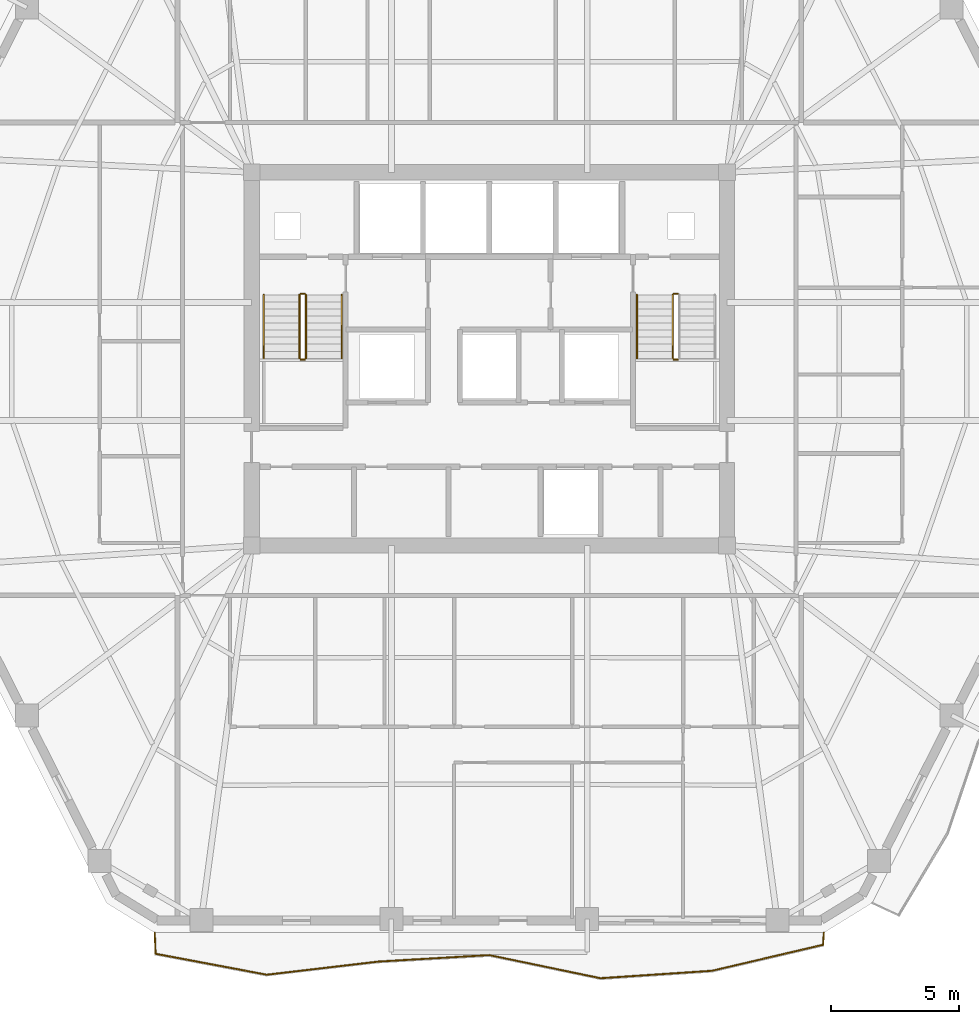
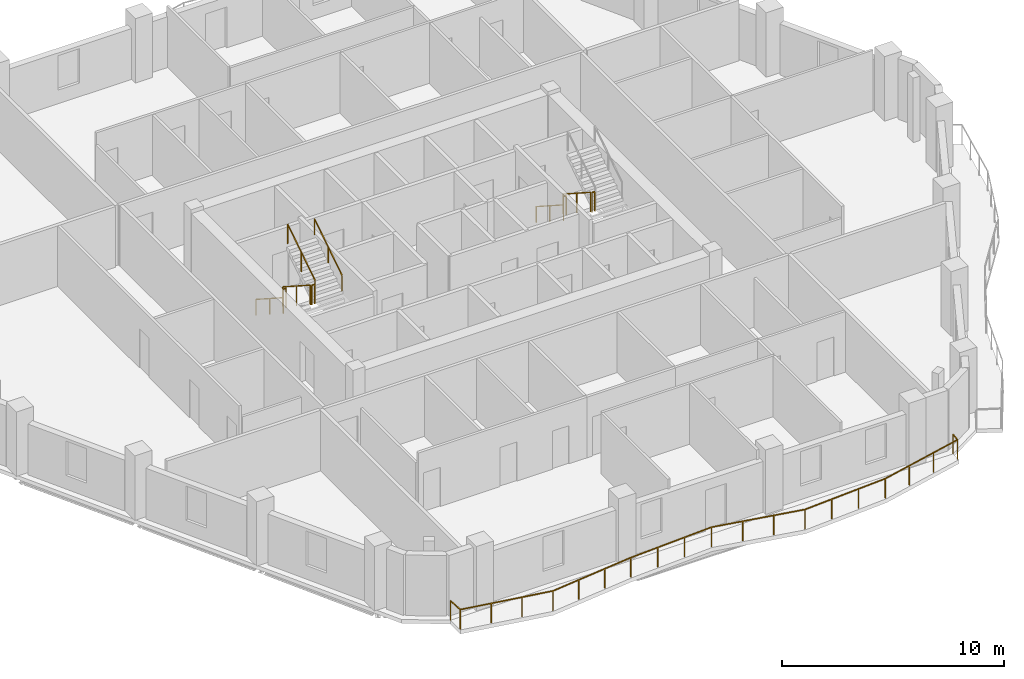
# One storey, part 9 of 10: 11 railings.
"""IFC4 building model written with IfcOpenShell, lengths in metres."""

from ifc_helpers import new_model, si_unit, direction, frame, origin, origin_2d, place, context, subcontext, project, spatial, rectangle, extrude, material, type_object, element, save


model = new_model("IFC4")

# Units and contexts
model_context = context("Model", 3, precision=1e-05, world=origin(), true_north=direction((0.0, 1.0)))
body_context = subcontext(model_context, "Body", "Model", "MODEL_VIEW")
ifc_project = project(units=[si_unit("LENGTHUNIT", "METRE"), si_unit("AREAUNIT", "SQUARE_METRE"), si_unit("VOLUMEUNIT", "CUBIC_METRE"), si_unit("PLANEANGLEUNIT", "RADIAN"), si_unit("MASSUNIT", "GRAM", prefix="KILO")], contexts=[model_context])

# Site, building, storey
site_placement = place(None, origin())
site = spatial("IfcSite", under=ifc_project, at=site_placement, CompositionType="ELEMENT")
building_placement = place(site_placement, origin())
building = spatial("IfcBuilding", under=site, at=building_placement, Name="Cinnabar Lancet Tower", CompositionType="ELEMENT")
storey_placement = place(building_placement, frame((0.0, 0.0, 164.14990234375)))
storey = spatial("IfcBuildingStorey", under=building, at=storey_placement, Name="L43", CompositionType="ELEMENT", Elevation=164.14990234375)

# Railings
ifc_material_1 = material(Name="Laminated safety glass and bronze stainless steel balustrade", Category="steel")
railing_type_1 = type_object("IfcRailingType", Name="ENV-RLG-BAL-1100", PredefinedType="BALUSTRADE", material=ifc_material_1)
railing_1_placement = place(storey_placement, frame((19.30810546875, 3.449951171875, 0.0)))
element("IfcRailing", 1, at=railing_1_placement, inside=storey, type_object=railing_type_1, Name="L43 Face 1 Wave Balcony Balustrade", PredefinedType="BALUSTRADE", context=body_context, shape_type="SweptSolid", body=[
    extrude(rectangle(XDim=0.048095703125, YDim=0.048095703125, at=origin_2d()), frame((0.0, 0.0, 1.076171875), z_axis=(0.041101669352, -0.99915496935, 0.0), x_axis=(0.99915496935, 0.041101669352, 0.0)), (0.0, 0.0, 1.0), 0.82568359375),
    extrude(rectangle(XDim=0.048095703125, YDim=0.048095703125, at=origin_2d()), frame((0.033935546875, -0.824951171875, 1.076171875), z_axis=(0.982760964656, -0.184880735473, 0.0), x_axis=(0.184880735473, 0.982760964656, 0.0)), (0.0, 0.0, 1.0), 4.430419921875),
    extrude(rectangle(XDim=0.048095703125, YDim=0.048095703125, at=origin_2d()), frame((4.387939453125, -1.64404296875, 1.076171875), z_axis=(0.993122440619, 0.117080390924, 0.0), x_axis=(-0.117080390924, 0.993122440619, 0.0)), (0.0, 0.0, 1.0), 4.383056640625),
    extrude(rectangle(XDim=0.048095703125, YDim=0.048095703125, at=origin_2d()), frame((8.740966796875, -1.130859375, 1.076171875), z_axis=(0.998288445358, 0.058482303852, 0.0), x_axis=(-0.058482303852, 0.998288445358, 0.0)), (0.0, 0.0, 1.0), 4.3583984375),
    extrude(rectangle(XDim=0.048095703125, YDim=0.048095703125, at=origin_2d()), frame((13.091796875, -0.8759765625, 1.076171875), z_axis=(0.979010564982, -0.203809503346, 0.0), x_axis=(0.203809503346, 0.979010564982, 0.0)), (0.0, 0.0, 1.0), 4.4453125),
    extrude(rectangle(XDim=0.048095703125, YDim=0.048095703125, at=origin_2d()), frame((17.44384765625, -1.781982421875, 1.076171875), z_axis=(0.997771763649, 0.066719619784, 0.0), x_axis=(-0.066719619784, 0.997771763649, 0.0)), (0.0, 0.0, 1.0), 4.36181640625),
    extrude(rectangle(XDim=0.048095703125, YDim=0.048095703125, at=origin_2d()), frame((21.7958984375, -1.490966796875, 1.076171875), z_axis=(0.973772681849, 0.227523106707, 0.0), x_axis=(-0.227523106707, 0.973772681849, 0.0)), (0.0, 0.0, 1.0), 4.47021484375),
    extrude(rectangle(XDim=0.048095703125, YDim=0.048095703125, at=origin_2d()), frame((26.14892578125, -0.473876953125, 1.076171875), z_axis=(0.073474233666, 0.997297115702, 0.0), x_axis=(-0.997297115702, 0.073474233666, 0.0)), (0.0, 0.0, 1.0), 0.47509765625),
    extrude(rectangle(XDim=0.0419921875, YDim=0.0419921875, at=origin_2d()), origin(), (0.0, 0.0, 1.0), 1.052001953125),
    extrude(rectangle(XDim=0.0419921875, YDim=0.0419921875, at=origin_2d()), frame((0.033935546875, -0.824951171875, 0.0)), (0.0, 0.0, 1.0), 1.052001953125),
    extrude(rectangle(XDim=0.0419921875, YDim=0.0419921875, at=origin_2d()), frame((1.4853515625, -1.097900390625, 0.0)), (0.0, 0.0, 1.0), 1.052001953125),
    extrude(rectangle(XDim=0.0419921875, YDim=0.0419921875, at=origin_2d()), frame((2.9365234375, -1.37109375, 0.0)), (0.0, 0.0, 1.0), 1.052001953125),
    extrude(rectangle(XDim=0.0419921875, YDim=0.0419921875, at=origin_2d()), frame((4.387939453125, -1.64404296875, 0.0)), (0.0, 0.0, 1.0), 1.052001953125),
    extrude(rectangle(XDim=0.0419921875, YDim=0.0419921875, at=origin_2d()), frame((5.8388671875, -1.472900390625, 0.0)), (0.0, 0.0, 1.0), 1.052001953125),
    extrude(rectangle(XDim=0.0419921875, YDim=0.0419921875, at=origin_2d()), frame((7.2900390625, -1.302001953125, 0.0)), (0.0, 0.0, 1.0), 1.052001953125),
    extrude(rectangle(XDim=0.0419921875, YDim=0.0419921875, at=origin_2d()), frame((8.740966796875, -1.130859375, 0.0)), (0.0, 0.0, 1.0), 1.052001953125),
    extrude(rectangle(XDim=0.0419921875, YDim=0.0419921875, at=origin_2d()), frame((10.191162109375, -1.0458984375, 0.0)), (0.0, 0.0, 1.0), 1.052001953125),
    extrude(rectangle(XDim=0.0419921875, YDim=0.0419921875, at=origin_2d()), frame((11.6416015625, -0.9609375, 0.0)), (0.0, 0.0, 1.0), 1.052001953125),
    extrude(rectangle(XDim=0.0419921875, YDim=0.0419921875, at=origin_2d()), frame((13.091796875, -0.8759765625, 0.0)), (0.0, 0.0, 1.0), 1.052001953125),
    extrude(rectangle(XDim=0.0419921875, YDim=0.0419921875, at=origin_2d()), frame((14.54248046875, -1.177978515625, 0.0)), (0.0, 0.0, 1.0), 1.052001953125),
    extrude(rectangle(XDim=0.0419921875, YDim=0.0419921875, at=origin_2d()), frame((15.9931640625, -1.47998046875, 0.0)), (0.0, 0.0, 1.0), 1.052001953125),
    extrude(rectangle(XDim=0.0419921875, YDim=0.0419921875, at=origin_2d()), frame((17.44384765625, -1.781982421875, 0.0)), (0.0, 0.0, 1.0), 1.052001953125),
    extrude(rectangle(XDim=0.0419921875, YDim=0.0419921875, at=origin_2d()), frame((18.89453125, -1.68505859375, 0.0)), (0.0, 0.0, 1.0), 1.052001953125),
    extrude(rectangle(XDim=0.0419921875, YDim=0.0419921875, at=origin_2d()), frame((20.34521484375, -1.587890625, 0.0)), (0.0, 0.0, 1.0), 1.052001953125),
    extrude(rectangle(XDim=0.0419921875, YDim=0.0419921875, at=origin_2d()), frame((21.7958984375, -1.490966796875, 0.0)), (0.0, 0.0, 1.0), 1.052001953125),
    extrude(rectangle(XDim=0.0419921875, YDim=0.0419921875, at=origin_2d()), frame((23.246826171875, -1.15185546875, 0.0)), (0.0, 0.0, 1.0), 1.052001953125),
    extrude(rectangle(XDim=0.0419921875, YDim=0.0419921875, at=origin_2d()), frame((24.697998046875, -0.81298828125, 0.0)), (0.0, 0.0, 1.0), 1.052001953125),
    extrude(rectangle(XDim=0.0419921875, YDim=0.0419921875, at=origin_2d()), frame((26.14892578125, -0.473876953125, 0.0)), (0.0, 0.0, 1.0), 1.052001953125),
    extrude(rectangle(XDim=0.0419921875, YDim=0.0419921875, at=origin_2d()), frame((26.183837890625, 0.0, 0.0)), (0.0, 0.0, 1.0), 1.052001953125),
])
ifc_material_2 = material(Name="Painted galvanized steel balustrade", Category="steel")
railing_type_2 = type_object("IfcRailingType", Name="GUARD-STAIR", PredefinedType="GUARDRAIL", material=ifc_material_2)
railing_2_placement = place(storey_placement, frame((24.97509765625, 28.39990234375, 0.177490234375)))
element("IfcRailing", 2, at=railing_2_placement, inside=storey, type_object=railing_type_2, Name="L43 ST-1 stair guard 1", PredefinedType="GUARDRAIL", context=body_context, shape_type="SweptSolid", body=[
    extrude(rectangle(XDim=0.048095703125, YDim=0.048095703125, at=origin_2d()), frame((0.0, 0.0, 1.076171875), z_axis=(0.0, -0.84014559416, 0.542360932049), x_axis=(1.0, 0.0, 0.0)), (0.0, 0.0, 1.0), 2.94580078125),
    extrude(rectangle(XDim=0.0419921875, YDim=0.0419921875, at=origin_2d()), origin(), (0.0, 0.0, 1.0), 1.052001953125),
    extrude(rectangle(XDim=0.0419921875, YDim=0.0419921875, at=origin_2d()), frame((0.0, -1.2373046875, 0.798828125)), (0.0, 0.0, 1.0), 1.052001953125),
    extrude(rectangle(XDim=0.0419921875, YDim=0.0419921875, at=origin_2d()), frame((0.0, -2.474853515625, 1.59765625)), (0.0, 0.0, 1.0), 1.052001953125),
])
railing_3_placement = place(storey_placement, frame((25.02490234375, 25.875, 1.775146484375)))
element("IfcRailing", 3, at=railing_3_placement, inside=storey, type_object=railing_type_2, Name="L43 ST-1 stair guard 2", PredefinedType="GUARDRAIL", context=body_context, shape_type="SweptSolid", body=[
    extrude(rectangle(XDim=0.048095703125, YDim=0.048095703125, at=origin_2d()), frame((0.0, 0.0, 1.076171875), z_axis=(1.0, 0.0, 0.0), x_axis=(0.0, 1.0, 0.0)), (0.0, 0.0, 1.0), 0.150146484375),
    extrude(rectangle(XDim=0.0419921875, YDim=0.0419921875, at=origin_2d()), origin(), (0.0, 0.0, 1.0), 1.052001953125),
    extrude(rectangle(XDim=0.0419921875, YDim=0.0419921875, at=origin_2d()), frame((0.150146484375, 0.0, 0.0)), (0.0, 0.0, 1.0), 1.052001953125),
])
railing_4_placement = place(storey_placement, frame((25.22509765625, 25.925048828125, 1.95263671875)))
element("IfcRailing", 4, at=railing_4_placement, inside=storey, type_object=railing_type_2, Name="L43 ST-1 stair guard 3", PredefinedType="GUARDRAIL", context=body_context, shape_type="SweptSolid", body=[
    extrude(rectangle(XDim=0.048095703125, YDim=0.048095703125, at=origin_2d()), frame((0.0, 0.0, 1.076171875), z_axis=(0.0, 0.840183358697, 0.542302428327), x_axis=(-1.0, 0.0, 0.0)), (0.0, 0.0, 1.0), 2.945556640625),
    extrude(rectangle(XDim=0.0419921875, YDim=0.0419921875, at=origin_2d()), origin(), (0.0, 0.0, 1.0), 1.052001953125),
    extrude(rectangle(XDim=0.0419921875, YDim=0.0419921875, at=origin_2d()), frame((0.0, 1.2373046875, 0.798828125)), (0.0, 0.0, 1.0), 1.052001953125),
    extrude(rectangle(XDim=0.0419921875, YDim=0.0419921875, at=origin_2d()), frame((0.0, 2.474853515625, 1.597412109375)), (0.0, 0.0, 1.0), 1.052001953125),
])
railing_5_placement = place(storey_placement, frame((25.02490234375, 28.449951171875, 0.0)))
element("IfcRailing", 5, at=railing_5_placement, inside=storey, type_object=railing_type_2, Name="L43 ST-1 stair guard 4", PredefinedType="GUARDRAIL", context=body_context, shape_type="SweptSolid", body=[
    extrude(rectangle(XDim=0.048095703125, YDim=0.048095703125, at=origin_2d()), frame((0.0, 0.0, 1.076171875), z_axis=(1.0, 0.0, 0.0), x_axis=(0.0, 1.0, 0.0)), (0.0, 0.0, 1.0), 0.150146484375),
    extrude(rectangle(XDim=0.0419921875, YDim=0.0419921875, at=origin_2d()), origin(), (0.0, 0.0, 1.0), 1.052001953125),
    extrude(rectangle(XDim=0.0419921875, YDim=0.0419921875, at=origin_2d()), frame((0.150146484375, 0.0, 0.0)), (0.0, 0.0, 1.0), 1.052001953125),
])
railing_6_placement = place(storey_placement, frame((39.574951171875, 28.39990234375, 0.177490234375)))
element("IfcRailing", 6, at=railing_6_placement, inside=storey, type_object=railing_type_2, Name="L43 ST-2 stair guard 1", PredefinedType="GUARDRAIL", context=body_context, shape_type="SweptSolid", body=[
    extrude(rectangle(XDim=0.048095703125, YDim=0.048095703125, at=origin_2d()), frame((0.0, 0.0, 1.076171875), z_axis=(0.0, -0.84014559416, 0.542360932049), x_axis=(1.0, 0.0, 0.0)), (0.0, 0.0, 1.0), 2.94580078125),
    extrude(rectangle(XDim=0.0419921875, YDim=0.0419921875, at=origin_2d()), origin(), (0.0, 0.0, 1.0), 1.052001953125),
    extrude(rectangle(XDim=0.0419921875, YDim=0.0419921875, at=origin_2d()), frame((0.0, -1.2373046875, 0.798828125)), (0.0, 0.0, 1.0), 1.052001953125),
    extrude(rectangle(XDim=0.0419921875, YDim=0.0419921875, at=origin_2d()), frame((0.0, -2.474853515625, 1.59765625)), (0.0, 0.0, 1.0), 1.052001953125),
])
for number, where, name in (
    (7, (39.625, 25.875, 1.775146484375), "L43 ST-2 stair guard 2"),
    (8, (39.625, 28.449951171875, 0.0), "L43 ST-2 stair guard 4"),
):
    element("IfcRailing", number, at=place(storey_placement, frame(where)), inside=storey, type_object=railing_type_2, Name=name, PredefinedType="GUARDRAIL", context=body_context, shape_type="SweptSolid", body=[
        extrude(rectangle(XDim=0.048095703125, YDim=0.048095703125, at=origin_2d()), frame((0.0, 0.0, 1.076171875), z_axis=(1.0, 0.0, 0.0), x_axis=(0.0, 1.0, 0.0)), (0.0, 0.0, 1.0), 0.14990234375),
        extrude(rectangle(XDim=0.0419921875, YDim=0.0419921875, at=origin_2d()), origin(), (0.0, 0.0, 1.0), 1.052001953125),
        extrude(rectangle(XDim=0.0419921875, YDim=0.0419921875, at=origin_2d()), frame((0.14990234375, 0.0, 0.0)), (0.0, 0.0, 1.0), 1.052001953125),
    ])
ifc_material_3 = material(Name="Brushed stainless steel handrail", Category="steel")
railing_type_3 = type_object("IfcRailingType", Name="HANDRAIL-STAIR", PredefinedType="HANDRAIL", material=ifc_material_3)
railing_7_placement = place(storey_placement, frame((23.574951171875, 28.39990234375, 0.177490234375)))
element("IfcRailing", 9, at=railing_7_placement, inside=storey, type_object=railing_type_3, Name="L43 ST-1 stair handrail 1", PredefinedType="HANDRAIL", context=body_context, shape_type="SweptSolid", body=[
    extrude(rectangle(XDim=0.048095703125, YDim=0.048095703125, at=origin_2d()), frame((0.0, 0.0, 0.8759765625), z_axis=(0.0, -0.84014559416, 0.542360932049), x_axis=(1.0, 0.0, 0.0)), (0.0, 0.0, 1.0), 2.94580078125),
    extrude(rectangle(XDim=0.0419921875, YDim=0.0419921875, at=origin_2d()), origin(), (0.0, 0.0, 1.0), 0.851806640625),
    extrude(rectangle(XDim=0.0419921875, YDim=0.0419921875, at=origin_2d()), frame((0.0, -1.2373046875, 0.798828125)), (0.0, 0.0, 1.0), 0.851806640625),
    extrude(rectangle(XDim=0.0419921875, YDim=0.0419921875, at=origin_2d()), frame((0.0, -2.474853515625, 1.59765625)), (0.0, 0.0, 1.0), 0.851806640625),
])
railing_8_placement = place(storey_placement, frame((26.625, 25.925048828125, 1.95263671875)))
element("IfcRailing", 10, at=railing_8_placement, inside=storey, type_object=railing_type_3, Name="L43 ST-1 stair handrail 2", PredefinedType="HANDRAIL", context=body_context, shape_type="SweptSolid", body=[
    extrude(rectangle(XDim=0.048095703125, YDim=0.048095703125, at=origin_2d()), frame((0.0, 0.0, 0.8759765625), z_axis=(0.0, 0.840183358697, 0.542302428327), x_axis=(-1.0, 0.0, 0.0)), (0.0, 0.0, 1.0), 2.945556640625),
    extrude(rectangle(XDim=0.0419921875, YDim=0.0419921875, at=origin_2d()), origin(), (0.0, 0.0, 1.0), 0.851806640625),
    extrude(rectangle(XDim=0.0419921875, YDim=0.0419921875, at=origin_2d()), frame((0.0, 1.2373046875, 0.798828125)), (0.0, 0.0, 1.0), 0.851806640625),
    extrude(rectangle(XDim=0.0419921875, YDim=0.0419921875, at=origin_2d()), frame((0.0, 2.474853515625, 1.597412109375)), (0.0, 0.0, 1.0), 0.851806640625),
])
railing_9_placement = place(storey_placement, frame((38.175048828125, 28.39990234375, 0.177490234375)))
element("IfcRailing", 11, at=railing_9_placement, inside=storey, type_object=railing_type_3, Name="L43 ST-2 stair handrail 1", PredefinedType="HANDRAIL", context=body_context, shape_type="SweptSolid", body=[
    extrude(rectangle(XDim=0.048095703125, YDim=0.048095703125, at=origin_2d()), frame((0.0, 0.0, 0.8759765625), z_axis=(0.0, -0.84014559416, 0.542360932049), x_axis=(1.0, 0.0, 0.0)), (0.0, 0.0, 1.0), 2.94580078125),
    extrude(rectangle(XDim=0.0419921875, YDim=0.0419921875, at=origin_2d()), origin(), (0.0, 0.0, 1.0), 0.851806640625),
    extrude(rectangle(XDim=0.0419921875, YDim=0.0419921875, at=origin_2d()), frame((0.0, -1.2373046875, 0.798828125)), (0.0, 0.0, 1.0), 0.851806640625),
    extrude(rectangle(XDim=0.0419921875, YDim=0.0419921875, at=origin_2d()), frame((0.0, -2.474853515625, 1.59765625)), (0.0, 0.0, 1.0), 0.851806640625),
])

save(model, "model.ifc")
